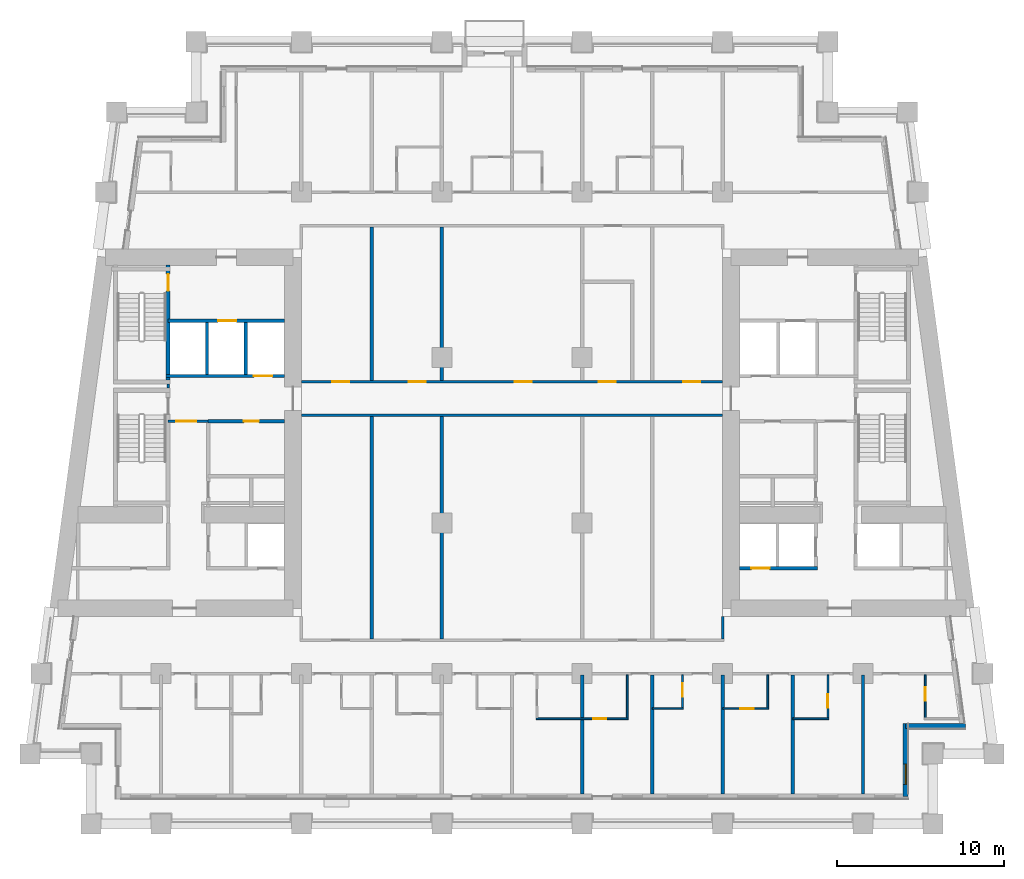
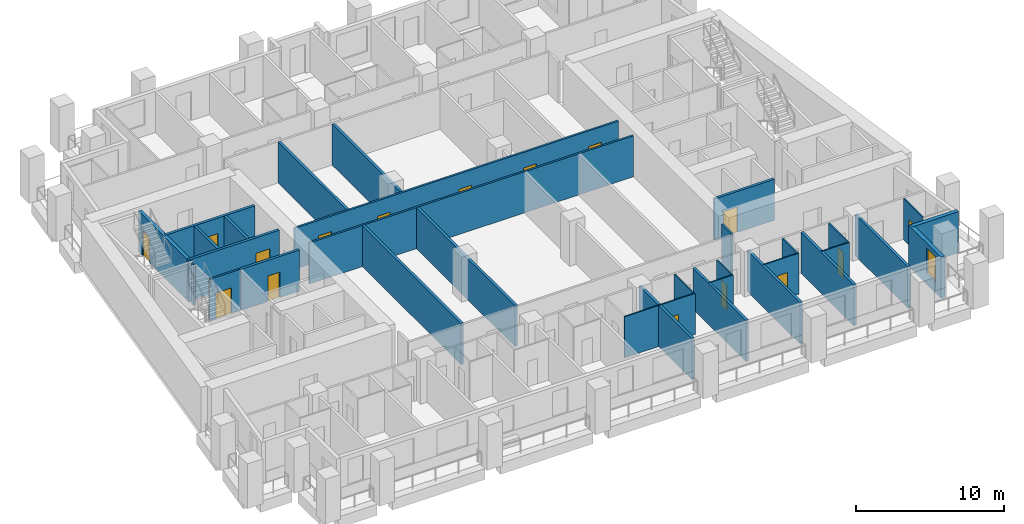
# One storey, part 5 of 14: 32 walls, 16 doors, 1 window, 17 openings.
"""IFC4 building model written with IfcOpenShell, lengths in metres."""

from ifc_helpers import new_model, si_unit, direction, frame, frame_2d, origin, place, context, subcontext, project, spatial, rectangle, extrude, material, layer, layer_set, type_object, element, fill, save


model = new_model("IFC4")

# Units and contexts
model_context = context("Model", 3, precision=1e-05, world=origin(), true_north=direction((0.0, 1.0)))
body_context = subcontext(model_context, "Body", "Model", "MODEL_VIEW")
ifc_project = project(units=[si_unit("LENGTHUNIT", "METRE"), si_unit("AREAUNIT", "SQUARE_METRE"), si_unit("VOLUMEUNIT", "CUBIC_METRE"), si_unit("PLANEANGLEUNIT", "RADIAN"), si_unit("MASSUNIT", "GRAM", prefix="KILO")], contexts=[model_context])

# Site, building, storey
site_placement = place(None, origin())
site = spatial("IfcSite", under=ifc_project, at=site_placement, CompositionType="ELEMENT")
building_placement = place(site_placement, origin())
building = spatial("IfcBuilding", under=site, at=building_placement, Name="Candeia Pilgrim Tower and Theatre", CompositionType="ELEMENT")
storey_placement = place(building_placement, frame((0.0, 0.0, 120.60009765625)))
storey = spatial("IfcBuildingStorey", under=building, at=storey_placement, Name="L28", CompositionType="ELEMENT", Elevation=120.60009765625)

# Wall, opening, window
ifc_material_1 = material(Name="Ceramic block masonry", Category="masonry")
ifc_layer_1 = layer(ifc_material_1, 0.300048828125)
ifc_layer_set_1 = layer_set([ifc_layer_1], Name="EW1 glazing-line wall 300")
wall_type_1 = type_object("IfcWallType", Name="EW1 glazing-line wall 300", PredefinedType="SOLIDWALL", material=ifc_layer_set_1)
wall_1_placement = place(storey_placement, frame((136.949951171875, 99.64990234375, 0.0), z_axis=(0.0, 0.0, 1.0), x_axis=(0.0, 1.0, 0.0)))
wall_1 = element("IfcWall", 1, at=wall_1_placement, inside=storey, type_object=wall_type_1, Name="External wall L28-1.0", PredefinedType="SOLIDWALL", context=body_context, shape_type="SweptSolid", body=[
    extrude(rectangle(XDim=4.35009765625, YDim=0.300048828125, at=frame_2d((2.175048828125, 0.0))), origin(), (0.0, 0.0, 1.0), 3.3798828125),
])
opening_1_placement = place(wall_1_placement, frame((0.72509765625, 0.0, 0.89990234375)))
opening_1 = element("IfcOpeningElement", 2, at=opening_1_placement, cuts=wall_1, Name="Opening W-B", PredefinedType="OPENING", context=body_context, shape_type="SweptSolid", body=[
    extrude(rectangle(XDim=1.199951171875, YDim=2.10009765625, at=frame_2d((0.60009765625, 1.050048828125))), frame((0.0, 0.16015625, 0.0), z_axis=(0.0, -1.0, 0.0), x_axis=(1.0, 0.0, 0.0)), (0.0, 0.0, 1.0), 0.320068359375),
])
ifc_material_2 = material(Name="Aluminium framed double glazing", Category="aluminium")
window_type = type_object("IfcWindowType", Name="W-B window 1200x2100", PartitioningType="SINGLE_PANEL", PredefinedType="WINDOW", material=ifc_material_2)
window_placement = place(opening_1_placement, origin())
window = element("IfcWindow", 3, at=window_placement, inside=storey, type_object=window_type, Name="Window W-B L28", OverallHeight=2.10009765625, OverallWidth=1.199951171875, PartitioningType="SINGLE_PANEL", PredefinedType="WINDOW", context=body_context, shape_type="SweptSolid", body=[
    extrude(rectangle(XDim=1.199951171875, YDim=2.10009765625, at=frame_2d((0.60009765625, 1.050048828125))), frame((0.0, 0.030029296875, 0.0), z_axis=(0.0, -1.0, 0.0), x_axis=(1.0, 0.0, 0.0)), (0.0, 0.0, 1.0), 0.06005859375),
])
fill(opening_1, window)

# Wall
wall_2_placement = place(storey_placement, frame((136.949951171875, 103.85009765625, 0.0), z_axis=(0.0, 0.0, 1.0), x_axis=(1.0, 0.0, 0.0)))
element("IfcWall", 4, at=wall_2_placement, inside=storey, type_object=wall_type_1, Name="External wall L28-2.0", PredefinedType="SOLIDWALL", context=body_context, shape_type="SweptSolid", body=[
    extrude(rectangle(XDim=3.569091796875, YDim=0.300048828125, at=frame_2d((1.78466796875, 0.0))), origin(), (0.0, 0.0, 1.0), 3.3798828125),
])

# Wall, opening, door
ifc_material_3 = material(Name="Gypsum board partition on steel studs", Category="steel")
ifc_layer_2 = layer(ifc_material_3, 0.10009765625)
ifc_layer_set_2 = layer_set([ifc_layer_2], Name="PW-100 room partition")
wall_type_2 = type_object("IfcWallType", Name="PW-100 room partition", PredefinedType="PARTITIONING", material=ifc_layer_set_2)
wall_3_placement = place(storey_placement, frame((114.85009765625, 104.300048828125, 0.0), z_axis=(0.0, 0.0, 1.0), x_axis=(1.0, 0.0, 0.0)))
wall_3 = element("IfcWall", 5, at=wall_3_placement, inside=storey, type_object=wall_type_2, Name="Room partition L28-001", PredefinedType="PARTITIONING", context=body_context, shape_type="SweptSolid", body=[
    extrude(rectangle(XDim=5.5, YDim=0.10009765625, at=frame_2d((2.75, 0.0))), origin(), (0.0, 0.0, 1.0), 3.3798828125),
])
opening_2_placement = place(wall_3_placement, frame((3.39990234375, 0.0, 0.0)))
opening_2 = element("IfcOpeningElement", 6, at=opening_2_placement, cuts=wall_3, Name="Opening L28-D029", PredefinedType="OPENING", context=body_context, shape_type="SweptSolid", body=[
    extrude(rectangle(XDim=0.800048828125, YDim=2.10009765625, at=frame_2d((0.39990234375, 1.050048828125))), frame((0.0, 0.06005859375, 0.0), z_axis=(0.0, -1.0, 0.0), x_axis=(1.0, 0.0, 0.0)), (0.0, 0.0, 1.0), 0.1201171875),
])
ifc_material_4 = material(Name="Timber door leaf", Category="wood")
door_type_1 = type_object("IfcDoorType", Name="D-800", OperationType="NOTDEFINED", PredefinedType="DOOR", material=ifc_material_4)
door_1_placement = place(opening_2_placement, origin())
door_1 = element("IfcDoor", 7, at=door_1_placement, inside=storey, type_object=door_type_1, Name="Door L28-D029", OperationType="SINGLE_SWING_LEFT", OverallHeight=2.10009765625, OverallWidth=0.800048828125, PredefinedType="DOOR", context=body_context, shape_type="SweptSolid", body=[
    extrude(rectangle(XDim=0.800048828125, YDim=2.10009765625, at=frame_2d((0.39990234375, 1.050048828125))), frame((0.0, 0.02490234375, 0.0), z_axis=(0.0, -1.0, 0.0), x_axis=(1.0, 0.0, 0.0)), (0.0, 0.0, 1.0), 0.050048828125),
])
fill(opening_2, door_1)

# Walls
wall_4_placement = place(storey_placement, frame((130.199951171875, 104.300048828125, 0.0), z_axis=(0.0, 0.0, 1.0), x_axis=(1.0, 0.0, 0.0)))
element("IfcWall", 8, at=wall_4_placement, inside=storey, type_object=wall_type_2, Name="Room partition L28-002", PredefinedType="PARTITIONING", context=body_context, shape_type="SweptSolid", body=[
    extrude(rectangle(XDim=2.150146484375, YDim=0.10009765625, at=frame_2d((1.0751953125, 0.0))), origin(), (0.0, 0.0, 1.0), 3.3798828125),
])
wall_5_placement = place(storey_placement, frame((121.800048828125, 104.89990234375, 0.0), z_axis=(0.0, 0.0, 1.0), x_axis=(1.0, 0.0, 0.0)))
element("IfcWall", 9, at=wall_5_placement, inside=storey, type_object=wall_type_2, Name="Room partition L28-010", PredefinedType="PARTITIONING", context=body_context, shape_type="SweptSolid", body=[
    extrude(rectangle(XDim=1.849853515625, YDim=0.10009765625, at=frame_2d((0.9248046875, 0.0))), origin(), (0.0, 0.0, 1.0), 3.3798828125),
])

# Wall, opening, door
wall_6_placement = place(storey_placement, frame((126.0, 104.89990234375, 0.0), z_axis=(0.0, 0.0, 1.0), x_axis=(1.0, 0.0, 0.0)))
wall_6 = element("IfcWall", 10, at=wall_6_placement, inside=storey, type_object=wall_type_2, Name="Room partition L28-011", PredefinedType="PARTITIONING", context=body_context, shape_type="SweptSolid", body=[
    extrude(rectangle(XDim=2.75, YDim=0.10009765625, at=frame_2d((1.375, 0.0))), origin(), (0.0, 0.0, 1.0), 3.3798828125),
])
opening_3_placement = place(wall_6_placement, frame((1.070068359375, 0.0, 0.0)))
opening_3 = element("IfcOpeningElement", 11, at=opening_3_placement, cuts=wall_6, Name="Opening L28-D033", PredefinedType="OPENING", context=body_context, shape_type="SweptSolid", body=[
    extrude(rectangle(XDim=0.800048828125, YDim=2.10009765625, at=frame_2d((0.39990234375, 1.050048828125))), frame((0.0, 0.06005859375, 0.0), z_axis=(0.0, -1.0, 0.0), x_axis=(1.0, 0.0, 0.0)), (0.0, 0.0, 1.0), 0.1201171875),
])
door_2_placement = place(opening_3_placement, origin())
door_2 = element("IfcDoor", 12, at=door_2_placement, inside=storey, type_object=door_type_1, Name="Door L28-D033", OperationType="SINGLE_SWING_LEFT", OverallHeight=2.10009765625, OverallWidth=0.800048828125, PredefinedType="DOOR", context=body_context, shape_type="SweptSolid", body=[
    extrude(rectangle(XDim=0.800048828125, YDim=2.10009765625, at=frame_2d((0.39990234375, 1.050048828125))), frame((0.0, 0.02490234375, 0.0), z_axis=(0.0, -1.0, 0.0), x_axis=(1.0, 0.0, 0.0)), (0.0, 0.0, 1.0), 0.050048828125),
])
fill(opening_3, door_2)

# Wall
wall_7_placement = place(storey_placement, frame((120.300048828125, 104.35009765625, 0.0), z_axis=(0.0, 0.0, 1.0), x_axis=(0.0, 1.0, 0.0)))
element("IfcWall", 13, at=wall_7_placement, inside=storey, type_object=wall_type_2, Name="Room partition L28-102", PredefinedType="PARTITIONING", context=body_context, shape_type="SweptSolid", body=[
    extrude(rectangle(XDim=2.574951171875, YDim=0.10009765625, at=frame_2d((1.28759765625, 0.0))), origin(), (0.0, 0.0, 1.0), 3.3798828125),
])

# Wall, opening, door
wall_8_placement = place(storey_placement, frame((123.60009765625, 104.949951171875, 0.0), z_axis=(0.0, 0.0, 1.0), x_axis=(0.0, 1.0, 0.0)))
wall_8 = element("IfcWall", 14, at=wall_8_placement, inside=storey, type_object=wall_type_2, Name="Room partition L28-108", PredefinedType="PARTITIONING", context=body_context, shape_type="SweptSolid", body=[
    extrude(rectangle(XDim=1.97509765625, YDim=0.10009765625, at=frame_2d((0.987548828125, 0.0))), origin(), (0.0, 0.0, 1.0), 3.3798828125),
])
opening_4_placement = place(wall_8_placement, frame((0.659912109375, 0.0, 0.0)))
opening_4 = element("IfcOpeningElement", 15, at=opening_4_placement, cuts=wall_8, Name="Opening L28-D031", PredefinedType="OPENING", context=body_context, shape_type="SweptSolid", body=[
    extrude(rectangle(XDim=0.800048828125, YDim=2.10009765625, at=frame_2d((0.39990234375, 1.050048828125))), frame((0.0, 0.06005859375, 0.0), z_axis=(0.0, -1.0, 0.0), x_axis=(1.0, 0.0, 0.0)), (0.0, 0.0, 1.0), 0.1201171875),
])
door_3_placement = place(opening_4_placement, origin())
door_3 = element("IfcDoor", 16, at=door_3_placement, inside=storey, type_object=door_type_1, Name="Door L28-D031", OperationType="SINGLE_SWING_LEFT", OverallHeight=2.10009765625, OverallWidth=0.800048828125, PredefinedType="DOOR", context=body_context, shape_type="SweptSolid", body=[
    extrude(rectangle(XDim=0.800048828125, YDim=2.10009765625, at=frame_2d((0.39990234375, 1.050048828125))), frame((0.0, 0.02490234375, 0.0), z_axis=(0.0, -1.0, 0.0), x_axis=(1.0, 0.0, 0.0)), (0.0, 0.0, 1.0), 0.050048828125),
])
fill(opening_4, door_3)

# Wall
wall_9_placement = place(storey_placement, frame((128.699951171875, 104.949951171875, 0.0), z_axis=(0.0, 0.0, 1.0), x_axis=(0.0, 1.0, 0.0)))
element("IfcWall", 17, at=wall_9_placement, inside=storey, type_object=wall_type_2, Name="Room partition L28-114", PredefinedType="PARTITIONING", context=body_context, shape_type="SweptSolid", body=[
    extrude(rectangle(XDim=1.97509765625, YDim=0.10009765625, at=frame_2d((0.987548828125, 0.0))), origin(), (0.0, 0.0, 1.0), 3.3798828125),
])

# Wall, opening, door
wall_10_placement = place(storey_placement, frame((132.300048828125, 104.35009765625, 0.0), z_axis=(0.0, 0.0, 1.0), x_axis=(0.0, 1.0, 0.0)))
wall_10 = element("IfcWall", 18, at=wall_10_placement, inside=storey, type_object=wall_type_2, Name="Room partition L28-123", PredefinedType="PARTITIONING", context=body_context, shape_type="SweptSolid", body=[
    extrude(rectangle(XDim=2.574951171875, YDim=0.10009765625, at=frame_2d((1.28759765625, 0.0))), origin(), (0.0, 0.0, 1.0), 3.3798828125),
])
opening_5_placement = place(wall_10_placement, frame((0.60009765625, 0.0, 0.0)))
opening_5 = element("IfcOpeningElement", 19, at=opening_5_placement, cuts=wall_10, Name="Opening L28-D035", PredefinedType="OPENING", context=body_context, shape_type="SweptSolid", body=[
    extrude(rectangle(XDim=0.800048828125, YDim=2.10009765625, at=frame_2d((0.39990234375, 1.050048828125))), frame((0.0, 0.06005859375, 0.0), z_axis=(0.0, -1.0, 0.0), x_axis=(1.0, 0.0, 0.0)), (0.0, 0.0, 1.0), 0.1201171875),
])
door_4_placement = place(opening_5_placement, origin())
door_4 = element("IfcDoor", 20, at=door_4_placement, inside=storey, type_object=door_type_1, Name="Door L28-D035", OperationType="SINGLE_SWING_LEFT", OverallHeight=2.10009765625, OverallWidth=0.800048828125, PredefinedType="DOOR", context=body_context, shape_type="SweptSolid", body=[
    extrude(rectangle(XDim=0.800048828125, YDim=2.10009765625, at=frame_2d((0.39990234375, 1.050048828125))), frame((0.0, 0.02490234375, 0.0), z_axis=(0.0, -1.0, 0.0), x_axis=(1.0, 0.0, 0.0)), (0.0, 0.0, 1.0), 0.050048828125),
])
fill(opening_5, door_4)

wall_11_placement = place(storey_placement, frame((138.1201171875, 104.35009765625, 0.0), z_axis=(0.0, 0.0, 1.0), x_axis=(0.0, 1.0, 0.0)))
wall_11 = element("IfcWall", 21, at=wall_11_placement, inside=storey, type_object=wall_type_2, Name="Room partition L28-133", PredefinedType="PARTITIONING", context=body_context, shape_type="SweptSolid", body=[
    extrude(rectangle(XDim=2.574951171875, YDim=0.10009765625, at=frame_2d((1.28759765625, 0.0))), origin(), (0.0, 0.0, 1.0), 3.3798828125),
])
opening_6_placement = place(wall_11_placement, frame((1.02001953125, 0.0, 0.0)))
opening_6 = element("IfcOpeningElement", 22, at=opening_6_placement, cuts=wall_11, Name="Opening L28-D037", PredefinedType="OPENING", context=body_context, shape_type="SweptSolid", body=[
    extrude(rectangle(XDim=0.800048828125, YDim=2.10009765625, at=frame_2d((0.39990234375, 1.050048828125))), frame((0.0, 0.06005859375, 0.0), z_axis=(0.0, -1.0, 0.0), x_axis=(1.0, 0.0, 0.0)), (0.0, 0.0, 1.0), 0.1201171875),
])
door_5_placement = place(opening_6_placement, origin())
door_5 = element("IfcDoor", 23, at=door_5_placement, inside=storey, type_object=door_type_1, Name="Door L28-D037", OperationType="SINGLE_SWING_LEFT", OverallHeight=2.10009765625, OverallWidth=0.800048828125, PredefinedType="DOOR", context=body_context, shape_type="SweptSolid", body=[
    extrude(rectangle(XDim=0.800048828125, YDim=2.10009765625, at=frame_2d((0.39990234375, 1.050048828125))), frame((0.0, 0.02490234375, 0.0), z_axis=(0.0, -1.0, 0.0), x_axis=(1.0, 0.0, 0.0)), (0.0, 0.0, 1.0), 0.050048828125),
])
fill(opening_6, door_5)

ifc_layer_3 = layer(ifc_material_3, 0.14990234375)
ifc_layer_set_3 = layer_set([ifc_layer_3], Name="PW-150 lobby wall")
wall_type_3 = type_object("IfcWallType", Name="PW-150 lobby wall", PredefinedType="PARTITIONING", material=ifc_layer_set_3)
wall_12_placement = place(storey_placement, frame((92.826904296875, 122.10009765625, 0.0), z_axis=(0.0, 0.0, 1.0), x_axis=(1.0, 0.0, 0.0)))
wall_12 = element("IfcWall", 24, at=wall_12_placement, inside=storey, type_object=wall_type_3, Name="Lobby wall L28-028", PredefinedType="PARTITIONING", context=body_context, shape_type="SweptSolid", body=[
    extrude(rectangle(XDim=2.400146484375, YDim=0.14990234375, at=frame_2d((1.2001953125, 0.0))), origin(), (0.0, 0.0, 1.0), 3.3798828125),
])
opening_7_placement = place(wall_12_placement, frame((0.47509765625, 0.0, 0.0)))
opening_7 = element("IfcOpeningElement", 25, at=opening_7_placement, cuts=wall_12, Name="Opening L28-D001", PredefinedType="OPENING", context=body_context, shape_type="SweptSolid", body=[
    extrude(rectangle(XDim=1.199951171875, YDim=2.10009765625, at=frame_2d((0.60009765625, 1.050048828125))), frame((0.0, 0.0849609375, 0.0), z_axis=(0.0, -1.0, 0.0), x_axis=(1.0, 0.0, 0.0)), (0.0, 0.0, 1.0), 0.169921875),
])
ifc_material_5 = material(Name="Steel fire door set", Category="steel")
door_type_2 = type_object("IfcDoorType", Name="D-1200-FD60", OperationType="NOTDEFINED", PredefinedType="DOOR", material=ifc_material_5)
door_6_placement = place(opening_7_placement, origin())
door_6 = element("IfcDoor", 26, at=door_6_placement, inside=storey, type_object=door_type_2, Name="Door L28-D001", OperationType="SINGLE_SWING_LEFT", OverallHeight=2.10009765625, OverallWidth=1.199951171875, PredefinedType="DOOR", context=body_context, shape_type="SweptSolid", body=[
    extrude(rectangle(XDim=1.199951171875, YDim=2.10009765625, at=frame_2d((0.60009765625, 1.050048828125))), frame((0.0, 0.02490234375, 0.0), z_axis=(0.0, -1.0, 0.0), x_axis=(1.0, 0.0, 0.0)), (0.0, 0.0, 1.0), 0.050048828125),
])
fill(opening_7, door_6)

# Walls
wall_13_placement = place(storey_placement, frame((92.826904296875, 124.074951171875, 0.0), z_axis=(0.0, 0.0, 1.0), x_axis=(0.0, 1.0, 0.0)))
element("IfcWall", 27, at=wall_13_placement, inside=storey, type_object=wall_type_3, Name="Lobby wall L28-061", PredefinedType="PARTITIONING", context=body_context, shape_type="SweptSolid", body=[
    extrude(rectangle(XDim=0.25, YDim=0.14990234375, at=frame_2d((0.125, 0.0))), origin(), (0.0, 0.0, 1.0), 3.3798828125),
])
ifc_layer_4 = layer(ifc_material_3, 0.14990234375)
ifc_layer_set_4 = layer_set([ifc_layer_4], Name="PW-150 unit wall")
wall_type_4 = type_object("IfcWallType", Name="PW-150 unit wall", PredefinedType="PARTITIONING", material=ifc_layer_set_4)
wall_14_placement = place(storey_placement, frame((100.800048828125, 122.449951171875, 0.0), z_axis=(0.0, 0.0, 1.0), x_axis=(1.0, 0.0, 0.0)))
element("IfcWall", 28, at=wall_14_placement, inside=storey, type_object=wall_type_4, Name="Unit wall L28-030", PredefinedType="PARTITIONING", context=body_context, shape_type="SweptSolid", body=[
    extrude(rectangle(XDim=25.199951171875, YDim=0.14990234375, at=frame_2d((12.60009765625, 0.0))), origin(), (0.0, 0.0, 1.0), 3.3798828125),
])

# Wall, openings, doors
wall_15_placement = place(storey_placement, frame((100.800048828125, 124.449951171875, 0.0), z_axis=(0.0, 0.0, 1.0), x_axis=(1.0, 0.0, 0.0)))
wall_15 = element("IfcWall", 29, at=wall_15_placement, inside=storey, type_object=wall_type_4, Name="Unit wall L28-035", PredefinedType="PARTITIONING", context=body_context, shape_type="SweptSolid", body=[
    extrude(rectangle(XDim=25.199951171875, YDim=0.14990234375, at=frame_2d((12.60009765625, 0.0))), origin(), (0.0, 0.0, 1.0), 3.3798828125),
])
opening_8_placement = place(wall_15_placement, frame((1.85009765625, 0.0, 0.0)))
opening_8 = element("IfcOpeningElement", 30, at=opening_8_placement, cuts=wall_15, Name="Opening L28-D059", PredefinedType="OPENING", context=body_context, shape_type="SweptSolid", body=[
    extrude(rectangle(XDim=1.0, YDim=2.10009765625, at=frame_2d((0.5, 1.050048828125))), frame((0.0, 0.0849609375, 0.0), z_axis=(0.0, -1.0, 0.0), x_axis=(1.0, 0.0, 0.0)), (0.0, 0.0, 1.0), 0.169921875),
])
opening_9_placement = place(wall_15_placement, frame((6.425048828125, 0.0, 0.0)))
opening_9 = element("IfcOpeningElement", 31, at=opening_9_placement, cuts=wall_15, Name="Opening L28-D060", PredefinedType="OPENING", context=body_context, shape_type="SweptSolid", body=[
    extrude(rectangle(XDim=1.0, YDim=2.10009765625, at=frame_2d((0.5, 1.050048828125))), frame((0.0, 0.0849609375, 0.0), z_axis=(0.0, -1.0, 0.0), x_axis=(1.0, 0.0, 0.0)), (0.0, 0.0, 1.0), 0.169921875),
])
opening_10_placement = place(wall_15_placement, frame((12.77001953125, 0.0, 0.0)))
opening_10 = element("IfcOpeningElement", 32, at=opening_10_placement, cuts=wall_15, Name="Opening L28-D061", PredefinedType="OPENING", context=body_context, shape_type="SweptSolid", body=[
    extrude(rectangle(XDim=1.0, YDim=2.10009765625, at=frame_2d((0.5, 1.050048828125))), frame((0.0, 0.0849609375, 0.0), z_axis=(0.0, -1.0, 0.0), x_axis=(1.0, 0.0, 0.0)), (0.0, 0.0, 1.0), 0.169921875),
])
opening_11_placement = place(wall_15_placement, frame((17.800048828125, 0.0, 0.0)))
opening_11 = element("IfcOpeningElement", 33, at=opening_11_placement, cuts=wall_15, Name="Opening L28-D062", PredefinedType="OPENING", context=body_context, shape_type="SweptSolid", body=[
    extrude(rectangle(XDim=1.0, YDim=2.10009765625, at=frame_2d((0.5, 1.050048828125))), frame((0.0, 0.0849609375, 0.0), z_axis=(0.0, -1.0, 0.0), x_axis=(1.0, 0.0, 0.0)), (0.0, 0.0, 1.0), 0.169921875),
])
opening_12_placement = place(wall_15_placement, frame((22.85009765625, 0.0, 0.0)))
opening_12 = element("IfcOpeningElement", 34, at=opening_12_placement, cuts=wall_15, Name="Opening L28-D063", PredefinedType="OPENING", context=body_context, shape_type="SweptSolid", body=[
    extrude(rectangle(XDim=1.0, YDim=2.10009765625, at=frame_2d((0.5, 1.050048828125))), frame((0.0, 0.0849609375, 0.0), z_axis=(0.0, -1.0, 0.0), x_axis=(1.0, 0.0, 0.0)), (0.0, 0.0, 1.0), 0.169921875),
])
door_type_3 = type_object("IfcDoorType", Name="D-1000-FD30S", OperationType="NOTDEFINED", PredefinedType="DOOR", material=ifc_material_5)
door_7_placement = place(opening_8_placement, origin())
door_7 = element("IfcDoor", 35, at=door_7_placement, inside=storey, type_object=door_type_3, Name="Door L28-D059", OperationType="SINGLE_SWING_LEFT", OverallHeight=2.10009765625, OverallWidth=1.0, PredefinedType="DOOR", context=body_context, shape_type="SweptSolid", body=[
    extrude(rectangle(XDim=1.0, YDim=2.10009765625, at=frame_2d((0.5, 1.050048828125))), frame((0.0, 0.02490234375, 0.0), z_axis=(0.0, -1.0, 0.0), x_axis=(1.0, 0.0, 0.0)), (0.0, 0.0, 1.0), 0.050048828125),
])
fill(opening_8, door_7)
door_8_placement = place(opening_9_placement, origin())
door_8 = element("IfcDoor", 36, at=door_8_placement, inside=storey, type_object=door_type_3, Name="Door L28-D060", OperationType="SINGLE_SWING_RIGHT", OverallHeight=2.10009765625, OverallWidth=1.0, PredefinedType="DOOR", context=body_context, shape_type="SweptSolid", body=[
    extrude(rectangle(XDim=1.0, YDim=2.10009765625, at=frame_2d((0.5, 1.050048828125))), frame((0.0, 0.02490234375, 0.0), z_axis=(0.0, -1.0, 0.0), x_axis=(1.0, 0.0, 0.0)), (0.0, 0.0, 1.0), 0.050048828125),
])
fill(opening_9, door_8)
door_9_placement = place(opening_10_placement, origin())
door_9 = element("IfcDoor", 37, at=door_9_placement, inside=storey, type_object=door_type_3, Name="Door L28-D061", OperationType="SINGLE_SWING_LEFT", OverallHeight=2.10009765625, OverallWidth=1.0, PredefinedType="DOOR", context=body_context, shape_type="SweptSolid", body=[
    extrude(rectangle(XDim=1.0, YDim=2.10009765625, at=frame_2d((0.5, 1.050048828125))), frame((0.0, 0.02490234375, 0.0), z_axis=(0.0, -1.0, 0.0), x_axis=(1.0, 0.0, 0.0)), (0.0, 0.0, 1.0), 0.050048828125),
])
fill(opening_10, door_9)
door_10_placement = place(opening_11_placement, origin())
door_10 = element("IfcDoor", 38, at=door_10_placement, inside=storey, type_object=door_type_3, Name="Door L28-D062", OperationType="SINGLE_SWING_RIGHT", OverallHeight=2.10009765625, OverallWidth=1.0, PredefinedType="DOOR", context=body_context, shape_type="SweptSolid", body=[
    extrude(rectangle(XDim=1.0, YDim=2.10009765625, at=frame_2d((0.5, 1.050048828125))), frame((0.0, 0.02490234375, 0.0), z_axis=(0.0, -1.0, 0.0), x_axis=(1.0, 0.0, 0.0)), (0.0, 0.0, 1.0), 0.050048828125),
])
fill(opening_11, door_10)
door_11_placement = place(opening_12_placement, origin())
door_11 = element("IfcDoor", 39, at=door_11_placement, inside=storey, type_object=door_type_3, Name="Door L28-D063", OperationType="SINGLE_SWING_LEFT", OverallHeight=2.10009765625, OverallWidth=1.0, PredefinedType="DOOR", context=body_context, shape_type="SweptSolid", body=[
    extrude(rectangle(XDim=1.0, YDim=2.10009765625, at=frame_2d((0.5, 1.050048828125))), frame((0.0, 0.02490234375, 0.0), z_axis=(0.0, -1.0, 0.0), x_axis=(1.0, 0.0, 0.0)), (0.0, 0.0, 1.0), 0.050048828125),
])
fill(opening_12, door_11)

# Walls
wall_16_placement = place(storey_placement, frame((126.0, 109.074951171875, 0.0), z_axis=(0.0, 0.0, 1.0), x_axis=(0.0, 1.0, 0.0)))
element("IfcWall", 40, at=wall_16_placement, inside=storey, type_object=wall_type_4, Name="Unit wall L28-112", PredefinedType="PARTITIONING", context=body_context, shape_type="SweptSolid", body=[
    extrude(rectangle(XDim=1.324951171875, YDim=0.14990234375, at=frame_2d((0.66259765625, 0.0))), origin(), (0.0, 0.0, 1.0), 3.3798828125),
])
ifc_layer_5 = layer(ifc_material_3, 0.199951171875)
ifc_layer_set_5 = layer_set([ifc_layer_5], Name="PW-200 party wall")
wall_type_5 = type_object("IfcWallType", Name="PW-200 party wall", PredefinedType="PARTITIONING", material=ifc_layer_set_5)
wall_17_placement = place(storey_placement, frame((105.0, 109.074951171875, 0.0), z_axis=(0.0, 0.0, 1.0), x_axis=(0.0, 1.0, 0.0)))
element("IfcWall", 41, at=wall_17_placement, inside=storey, type_object=wall_type_5, Name="Party wall L28-082", PredefinedType="PARTITIONING", context=body_context, shape_type="SweptSolid", body=[
    extrude(rectangle(XDim=13.300048828125, YDim=0.199951171875, at=frame_2d((6.64990234375, 0.0))), origin(), (0.0, 0.0, 1.0), 3.3798828125),
])
wall_18_placement = place(storey_placement, frame((105.0, 124.52490234375, 0.0), z_axis=(0.0, 0.0, 1.0), x_axis=(0.0, 1.0, 0.0)))
element("IfcWall", 42, at=wall_18_placement, inside=storey, type_object=wall_type_5, Name="Party wall L28-083", PredefinedType="PARTITIONING", context=body_context, shape_type="SweptSolid", body=[
    extrude(rectangle(XDim=9.2001953125, YDim=0.199951171875, at=frame_2d((4.60009765625, 0.0))), origin(), (0.0, 0.0, 1.0), 3.3798828125),
])
wall_19_placement = place(storey_placement, frame((109.199951171875, 109.074951171875, 0.0), z_axis=(0.0, 0.0, 1.0), x_axis=(0.0, 1.0, 0.0)))
element("IfcWall", 43, at=wall_19_placement, inside=storey, type_object=wall_type_5, Name="Party wall L28-088", PredefinedType="PARTITIONING", context=body_context, shape_type="SweptSolid", body=[
    extrude(rectangle(XDim=13.300048828125, YDim=0.199951171875, at=frame_2d((6.64990234375, 0.0))), origin(), (0.0, 0.0, 1.0), 3.3798828125),
])
wall_20_placement = place(storey_placement, frame((109.199951171875, 124.52490234375, 0.0), z_axis=(0.0, 0.0, 1.0), x_axis=(0.0, 1.0, 0.0)))
element("IfcWall", 44, at=wall_20_placement, inside=storey, type_object=wall_type_5, Name="Party wall L28-089", PredefinedType="PARTITIONING", context=body_context, shape_type="SweptSolid", body=[
    extrude(rectangle(XDim=9.2001953125, YDim=0.199951171875, at=frame_2d((4.60009765625, 0.0))), origin(), (0.0, 0.0, 1.0), 3.3798828125),
])
for number, where, z_axis, x_axis, name in (
    (45, (117.60009765625, 99.7900390625, 0.0), (0.0, 0.0, 1.0), (0.0, 1.0, 0.0), "Party wall L28-097"),
    (46, (121.800048828125, 99.7900390625, 0.0), (0.0, 0.0, 1.0), (0.0, 1.0, 0.0), "Party wall L28-104"),
    (47, (126.0, 99.7900390625, 0.0), (0.0, 0.0, 1.0), (0.0, 1.0, 0.0), "Party wall L28-110"),
    (48, (130.199951171875, 99.7900390625, 0.0), (0.0, 0.0, 1.0), (0.0, 1.0, 0.0), "Party wall L28-118"),
    (49, (134.39990234375, 99.7900390625, 0.0), (0.0, 0.0, 1.0), (0.0, 1.0, 0.0), "Party wall L28-129"),
):
    element("IfcWall", number, at=place(storey_placement, frame(where, z_axis=z_axis, x_axis=x_axis)), inside=storey, type_object=wall_type_5, Name=name, PredefinedType="PARTITIONING", context=body_context, shape_type="SweptSolid", body=[
        extrude(rectangle(XDim=7.135009765625, YDim=0.199951171875, at=frame_2d((3.5673828125, 0.0))), origin(), (0.0, 0.0, 1.0), 3.3798828125),
    ])

# Wall, opening, door
ifc_material_6 = material(Name="Concrete C40/50", Category="concrete")
ifc_layer_6 = layer(ifc_material_6, 0.199951171875)
ifc_layer_set_6 = layer_set([ifc_layer_6], Name="SW-200 shaft wall")
wall_type_6 = type_object("IfcWallType", Name="SW-200 shaft wall", PredefinedType="PARTITIONING", material=ifc_layer_set_6)
wall_21_placement = place(storey_placement, frame((127.0, 113.300048828125, 0.0), z_axis=(0.0, 0.0, 1.0), x_axis=(1.0, 0.0, 0.0)))
wall_21 = element("IfcWall", 50, at=wall_21_placement, inside=storey, type_object=wall_type_6, Name="Shaft wall L28-016", PredefinedType="PARTITIONING", context=body_context, shape_type="SweptSolid", body=[
    extrude(rectangle(XDim=4.673095703125, YDim=0.199951171875, at=frame_2d((2.33642578125, 0.0))), origin(), (0.0, 0.0, 1.0), 3.3798828125),
])
opening_13_placement = place(wall_21_placement, frame((0.715087890625, 0.0, 0.0)))
opening_13 = element("IfcOpeningElement", 51, at=opening_13_placement, cuts=wall_21, Name="Opening L28-LD08", PredefinedType="OPENING", context=body_context, shape_type="SweptSolid", body=[
    extrude(rectangle(XDim=1.10009765625, YDim=2.10009765625, at=frame_2d((0.550048828125, 1.050048828125))), frame((0.0, 0.10986328125, 0.0), z_axis=(0.0, -1.0, 0.0), x_axis=(1.0, 0.0, 0.0)), (0.0, 0.0, 1.0), 0.219970703125),
])
ifc_material_7 = material(Name="Glazed aluminium landing door", Category="aluminium")
door_type_4 = type_object("IfcDoorType", Name="LD-1100-EI120", OperationType="SLIDING_TO_LEFT", PredefinedType="DOOR", material=ifc_material_7)
door_12_placement = place(opening_13_placement, origin())
door_12 = element("IfcDoor", 52, at=door_12_placement, inside=storey, type_object=door_type_4, Name="Landing door 08 L28", OperationType="SLIDING_TO_LEFT", OverallHeight=2.10009765625, OverallWidth=1.10009765625, PredefinedType="DOOR", context=body_context, shape_type="SweptSolid", body=[
    extrude(rectangle(XDim=1.10009765625, YDim=2.10009765625, at=frame_2d((0.550048828125, 1.050048828125))), frame((0.0, 0.02490234375, 0.0), z_axis=(0.0, -1.0, 0.0), x_axis=(1.0, 0.0, 0.0)), (0.0, 0.0, 1.0), 0.050048828125),
])
fill(opening_13, door_12)

wall_22_placement = place(storey_placement, frame((95.22705078125, 122.10009765625, 0.0), z_axis=(0.0, 0.0, 1.0), x_axis=(1.0, 0.0, 0.0)))
wall_22 = element("IfcWall", 53, at=wall_22_placement, inside=storey, type_object=wall_type_6, Name="Shaft wall L28-026", PredefinedType="PARTITIONING", context=body_context, shape_type="SweptSolid", body=[
    extrude(rectangle(XDim=4.572998046875, YDim=0.199951171875, at=frame_2d((2.28662109375, 0.0))), origin(), (0.0, 0.0, 1.0), 3.3798828125),
])
opening_14_placement = place(wall_22_placement, frame((2.134033203125, 0.0, 0.0)))
opening_14 = element("IfcOpeningElement", 54, at=opening_14_placement, cuts=wall_22, Name="Opening L28-D002", PredefinedType="OPENING", context=body_context, shape_type="SweptSolid", body=[
    extrude(rectangle(XDim=0.89990234375, YDim=2.10009765625, at=frame_2d((0.449951171875, 1.050048828125))), frame((0.0, 0.10986328125, 0.0), z_axis=(0.0, -1.0, 0.0), x_axis=(1.0, 0.0, 0.0)), (0.0, 0.0, 1.0), 0.219970703125),
])
door_type_5 = type_object("IfcDoorType", Name="D-900-FD60", OperationType="NOTDEFINED", PredefinedType="DOOR", material=ifc_material_5)
door_13_placement = place(opening_14_placement, origin())
door_13 = element("IfcDoor", 55, at=door_13_placement, inside=storey, type_object=door_type_5, Name="Door L28-D002", OperationType="SINGLE_SWING_RIGHT", OverallHeight=2.10009765625, OverallWidth=0.89990234375, PredefinedType="DOOR", context=body_context, shape_type="SweptSolid", body=[
    extrude(rectangle(XDim=0.89990234375, YDim=2.10009765625, at=frame_2d((0.449951171875, 1.050048828125))), frame((0.0, 0.02490234375, 0.0), z_axis=(0.0, -1.0, 0.0), x_axis=(1.0, 0.0, 0.0)), (0.0, 0.0, 1.0), 0.050048828125),
])
fill(opening_14, door_13)

wall_23_placement = place(storey_placement, frame((92.701904296875, 124.800048828125, 0.0), z_axis=(0.0, 0.0, 1.0), x_axis=(1.0, 0.0, 0.0)))
wall_23 = element("IfcWall", 56, at=wall_23_placement, inside=storey, type_object=wall_type_6, Name="Shaft wall L28-036", PredefinedType="PARTITIONING", context=body_context, shape_type="SweptSolid", body=[
    extrude(rectangle(XDim=7.09814453125, YDim=0.199951171875, at=frame_2d((3.549072265625, 0.0))), origin(), (0.0, 0.0, 1.0), 3.3798828125),
])
opening_15_placement = place(wall_23_placement, frame((5.2548828125, 0.0, 0.0)))
opening_15 = element("IfcOpeningElement", 57, at=opening_15_placement, cuts=wall_23, Name="Opening L28-LD02", PredefinedType="OPENING", context=body_context, shape_type="SweptSolid", body=[
    extrude(rectangle(XDim=1.10009765625, YDim=2.10009765625, at=frame_2d((0.550048828125, 1.050048828125))), frame((0.0, 0.10986328125, 0.0), z_axis=(0.0, -1.0, 0.0), x_axis=(1.0, 0.0, 0.0)), (0.0, 0.0, 1.0), 0.219970703125),
])
door_14_placement = place(opening_15_placement, origin())
door_14 = element("IfcDoor", 58, at=door_14_placement, inside=storey, type_object=door_type_4, Name="Landing door 02 L28", OperationType="SLIDING_TO_LEFT", OverallHeight=2.10009765625, OverallWidth=1.10009765625, PredefinedType="DOOR", context=body_context, shape_type="SweptSolid", body=[
    extrude(rectangle(XDim=1.10009765625, YDim=2.10009765625, at=frame_2d((0.550048828125, 1.050048828125))), frame((0.0, 0.02490234375, 0.0), z_axis=(0.0, -1.0, 0.0), x_axis=(1.0, 0.0, 0.0)), (0.0, 0.0, 1.0), 0.050048828125),
])
fill(opening_15, door_14)

wall_24_placement = place(storey_placement, frame((92.826904296875, 128.10009765625, 0.0), z_axis=(0.0, 0.0, 1.0), x_axis=(1.0, 0.0, 0.0)))
wall_24 = element("IfcWall", 59, at=wall_24_placement, inside=storey, type_object=wall_type_6, Name="Shaft wall L28-039", PredefinedType="PARTITIONING", context=body_context, shape_type="SweptSolid", body=[
    extrude(rectangle(XDim=6.97314453125, YDim=0.199951171875, at=frame_2d((3.486572265625, 0.0))), origin(), (0.0, 0.0, 1.0), 3.3798828125),
])
opening_16_placement = place(wall_24_placement, frame((2.989013671875, 0.0, 0.0)))
opening_16 = element("IfcOpeningElement", 60, at=opening_16_placement, cuts=wall_24, Name="Opening L28-LD01", PredefinedType="OPENING", context=body_context, shape_type="SweptSolid", body=[
    extrude(rectangle(XDim=1.10009765625, YDim=2.10009765625, at=frame_2d((0.550048828125, 1.050048828125))), frame((0.0, 0.10986328125, 0.0), z_axis=(0.0, -1.0, 0.0), x_axis=(1.0, 0.0, 0.0)), (0.0, 0.0, 1.0), 0.219970703125),
])
door_15_placement = place(opening_16_placement, origin())
door_15 = element("IfcDoor", 61, at=door_15_placement, inside=storey, type_object=door_type_4, Name="Landing door 01 L28", OperationType="SLIDING_TO_LEFT", OverallHeight=2.10009765625, OverallWidth=1.10009765625, PredefinedType="DOOR", context=body_context, shape_type="SweptSolid", body=[
    extrude(rectangle(XDim=1.10009765625, YDim=2.10009765625, at=frame_2d((0.550048828125, 1.050048828125))), frame((0.0, 0.02490234375, 0.0), z_axis=(0.0, -1.0, 0.0), x_axis=(1.0, 0.0, 0.0)), (0.0, 0.0, 1.0), 0.050048828125),
])
fill(opening_16, door_15)

# Walls
for number, where, z_axis, x_axis, name in (
    (62, (95.1513671875, 124.89990234375, 0.0), (0.0, 0.0, 1.0), (0.0, 1.0, 0.0), "Shaft wall L28-067"),
    (63, (97.4755859375, 124.89990234375, 0.0), (0.0, 0.0, 1.0), (0.0, 1.0, 0.0), "Shaft wall L28-072"),
):
    element("IfcWall", number, at=place(storey_placement, frame(where, z_axis=z_axis, x_axis=x_axis)), inside=storey, type_object=wall_type_6, Name=name, PredefinedType="PARTITIONING", context=body_context, shape_type="SweptSolid", body=[
        extrude(rectangle(XDim=3.10009765625, YDim=0.199951171875, at=frame_2d((1.550048828125, 0.0))), origin(), (0.0, 0.0, 1.0), 3.3798828125),
    ])

# Wall, opening, door
ifc_layer_7 = layer(ifc_material_6, 0.25)
ifc_layer_set_7 = layer_set([ifc_layer_7], Name="SW-250 stair wall")
wall_type_7 = type_object("IfcWallType", Name="SW-250 stair wall", PredefinedType="PARTITIONING", material=ifc_layer_set_7)
wall_25_placement = place(storey_placement, frame((92.826904296875, 124.574951171875, 0.0), z_axis=(0.0, 0.0, 1.0), x_axis=(0.0, 1.0, 0.0)))
wall_25 = element("IfcWall", 64, at=wall_25_placement, inside=storey, type_object=wall_type_7, Name="Stair wall L28-063", PredefinedType="PARTITIONING", context=body_context, shape_type="SweptSolid", body=[
    extrude(rectangle(XDim=6.85498046875, YDim=0.25, at=frame_2d((3.427490234375, 0.0))), origin(), (0.0, 0.0, 1.0), 3.3798828125),
])
opening_17_placement = place(wall_25_placement, frame((5.324951171875, 0.0, 0.0)))
opening_17 = element("IfcOpeningElement", 65, at=opening_17_placement, cuts=wall_25, Name="Opening L28-D004", PredefinedType="OPENING", context=body_context, shape_type="SweptSolid", body=[
    extrude(rectangle(XDim=1.0, YDim=2.10009765625, at=frame_2d((0.5, 1.050048828125))), frame((0.0, 0.135009765625, 0.0), z_axis=(0.0, -1.0, 0.0), x_axis=(1.0, 0.0, 0.0)), (0.0, 0.0, 1.0), 0.27001953125),
])
door_type_6 = type_object("IfcDoorType", Name="D-1000-FD60", OperationType="NOTDEFINED", PredefinedType="DOOR", material=ifc_material_5)
door_16_placement = place(opening_17_placement, origin())
door_16 = element("IfcDoor", 66, at=door_16_placement, inside=storey, type_object=door_type_6, Name="Door L28-D004", OperationType="SINGLE_SWING_RIGHT", OverallHeight=2.10009765625, OverallWidth=1.0, PredefinedType="DOOR", context=body_context, shape_type="SweptSolid", body=[
    extrude(rectangle(XDim=1.0, YDim=2.10009765625, at=frame_2d((0.5, 1.050048828125))), frame((0.0, 0.02490234375, 0.0), z_axis=(0.0, -1.0, 0.0), x_axis=(1.0, 0.0, 0.0)), (0.0, 0.0, 1.0), 0.050048828125),
])
fill(opening_17, door_16)

save(model, "model.ifc")
